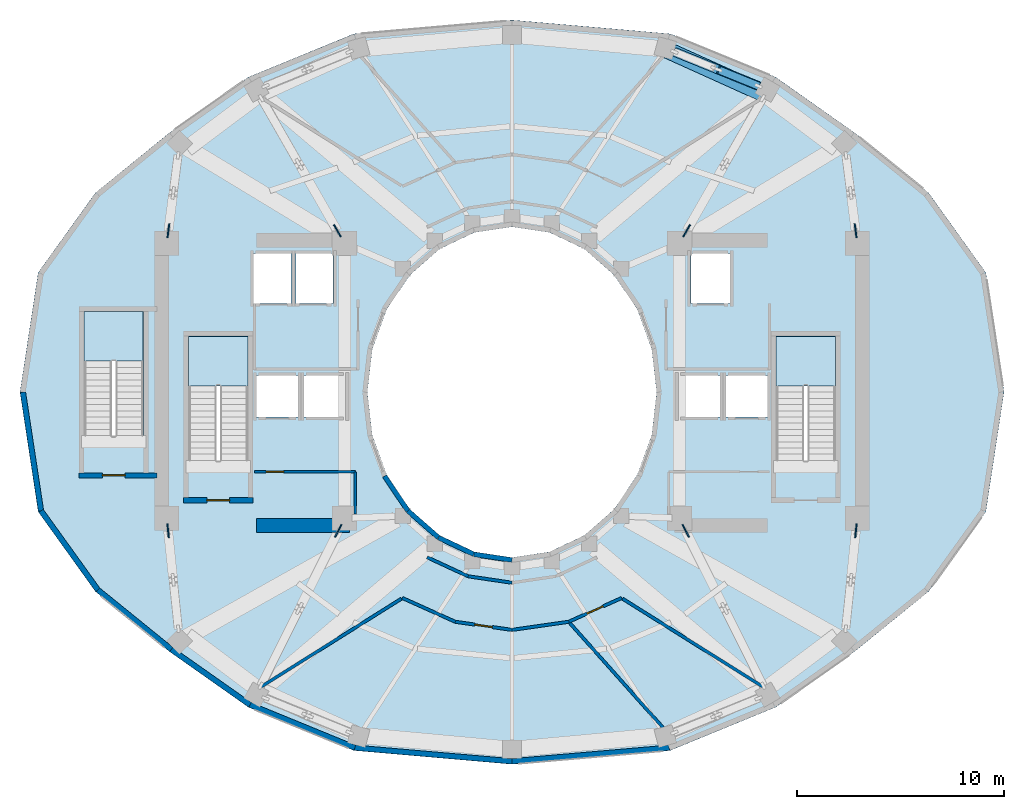
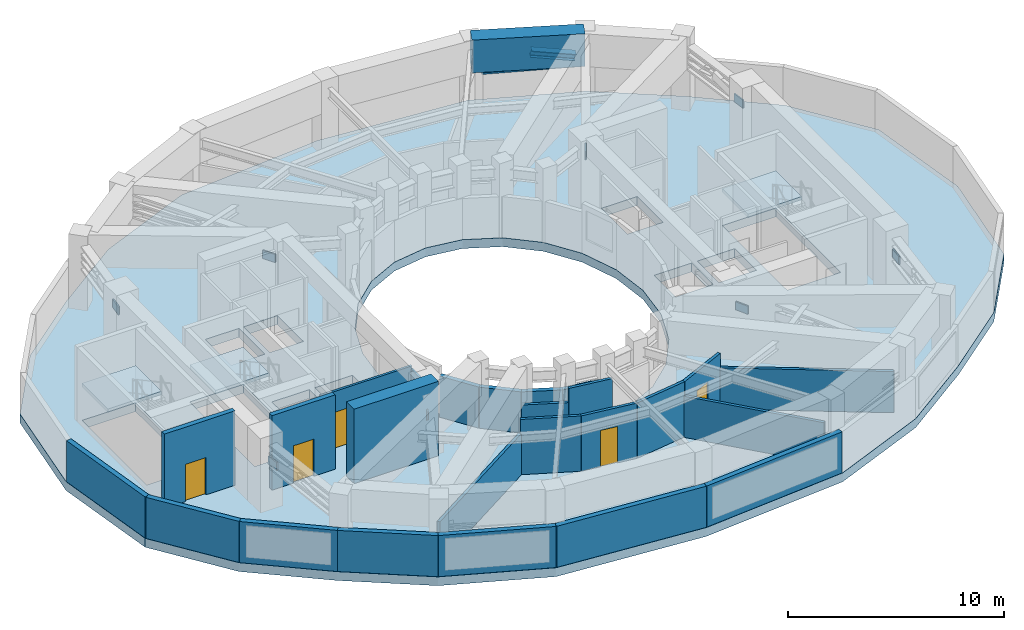
# One storey, part 3 of 10: 25 walls, 8 plates, 5 doors, 4 slabs, 2 beams, 1 member, 5 openings, 3 elements without a shape of their own.
"""IFC4 building model written with IfcOpenShell, lengths in metres."""

from ifc_helpers import new_model, si_unit, direction, frame, frame_2d, origin, origin_2d, place, context, subcontext, project, spatial, polyline, rectangle, i_section, outline, extrude, material, layer, layer_set, material_profile, profile_set, type_object, element, fill, aggregate, save


model = new_model("IFC4")

# Units and contexts
model_context = context("Model", 3, precision=1e-05, world=origin(), true_north=direction((0.0, 1.0)))
body_context = subcontext(model_context, "Body", "Model", "MODEL_VIEW")
ifc_project = project(units=[si_unit("LENGTHUNIT", "METRE"), si_unit("AREAUNIT", "SQUARE_METRE"), si_unit("VOLUMEUNIT", "CUBIC_METRE"), si_unit("PLANEANGLEUNIT", "RADIAN"), si_unit("MASSUNIT", "GRAM", prefix="KILO")], contexts=[model_context])

# Site, building, storey
site_placement = place(None, origin())
site = spatial("IfcSite", under=ifc_project, at=site_placement, CompositionType="ELEMENT")
building_placement = place(site_placement, origin())
building = spatial("IfcBuilding", under=site, at=building_placement, Name="Solvane Sanctuary Tower", CompositionType="ELEMENT")
storey_placement = place(building_placement, frame((0.0, 0.0, 129.0)))
storey = spatial("IfcBuildingStorey", under=building, at=storey_placement, Name="L39", CompositionType="ELEMENT", Elevation=129.0)

# Beams
ifc_material_1 = material(Name="Steel ASTM A913 Grade 65", Category="steel")
ifc_material_profile_1 = material_profile(ifc_material_1, i_section(OverallWidth=0.431884765625, OverallDepth=0.498046875, WebThickness=0.0556640625, FlangeThickness=0.0888671875, FilletRadius=0.02490234375, at=origin_2d()), Name="W14X500")
ifc_profile_set_1 = profile_set([ifc_material_profile_1], Name="Steel ASTM A913 Grade 65")
beam_type_1 = type_object("IfcBeamType", Name="Beam B-OUTR-CH W14X500", PredefinedType="BEAM", material=ifc_profile_set_1)
beam_1_placement = place(storey_placement, frame((39.8466796875, 39.466552734375, 2.300048828125), z_axis=(0.926455722664, -0.376403764518, 0.0), x_axis=(0.376403764518, 0.926455722664, 0.0)))
element("IfcBeam", 1, at=beam_1_placement, inside=storey, type_object=beam_type_1, Name="L39 Belt Truss Bottom Chord 03-02", PredefinedType="BEAM", context=body_context, shape_type="SweptSolid", body=[
    extrude(i_section(OverallWidth=0.431884765625, OverallDepth=0.498046875, WebThickness=0.0556640625, FlangeThickness=0.0888671875, FilletRadius=0.02490234375, at=origin_2d()), origin(), (0.0, 0.0, 1.0), 4.411865234375),
])
ifc_material_2 = material(Name="Concrete C70/85", Category="concrete")
ifc_material_profile_2 = material_profile(ifc_material_2, rectangle(XDim=0.800048828125, YDim=1.85009765625, at=origin_2d()), Name="RC800X1850")
ifc_profile_set_2 = profile_set([ifc_material_profile_2], Name="Concrete C70/85")
beam_type_2 = type_object("IfcBeamType", Name="Beam B-XFER-BLK RC800X1850", PredefinedType="BEAM", material=ifc_profile_set_2)
beam_2_placement = place(storey_placement, frame((39.398681640625, 39.59912109375, 3.27490234375), z_axis=(0.911321770398, -0.411694827268, 0.0), x_axis=(0.411694827268, 0.911321770398, 0.0)))
element("IfcBeam", 2, at=beam_2_placement, inside=storey, type_object=beam_type_2, Name="L39 Perimeter Step Transfer Ring NTC03-NTC02", PredefinedType="BEAM", context=body_context, shape_type="SweptSolid", body=[
    extrude(rectangle(XDim=0.800048828125, YDim=1.85009765625, at=origin_2d()), origin(), (0.0, 0.0, 1.0), 5.26416015625),
])

# Member
ifc_material_3 = material(Name="Steel ASTM A992 Grade 50", Category="steel")
ifc_material_profile_3 = material_profile(ifc_material_3, i_section(OverallWidth=0.3740234375, OverallDepth=0.3720703125, WebThickness=0.016357421875, FlangeThickness=0.026123046875, FilletRadius=0.02490234375, at=origin_2d()), Name="W14X132")
ifc_profile_set_3 = profile_set([ifc_material_profile_3], Name="Steel ASTM A992 Grade 50")
member_type = type_object("IfcMemberType", Name="Member M-BELT-POST W14X132", PredefinedType="POST", material=ifc_profile_set_3)
member_placement = place(storey_placement, frame((41.990478515625, 38.595458984375, 2.948486328125), z_axis=(0.910085206629, -0.36979047232, -0.187082664234), x_axis=(0.376436774403, 0.926442310604, 0.0)))
element("IfcMember", 3, at=member_placement, inside=storey, type_object=member_type, Name="L39 Belt Truss Web Strut 03-02", PredefinedType="POST", context=body_context, shape_type="SweptSolid", body=[
    extrude(i_section(OverallWidth=0.3740234375, OverallDepth=0.3720703125, WebThickness=0.016357421875, FlangeThickness=0.026123046875, FilletRadius=0.02490234375, at=origin_2d()), origin(), (0.0, 0.0, 1.0), 2.12060546875),
])

# Plates
ifc_material_4 = material(Name="Steel ASTM A572 Grade 50", Category="steel")
ifc_layer_1 = layer(ifc_material_4, 0.070068359375, Name="Steel ASTM A572 Grade 50")
ifc_layer_set_1 = layer_set([ifc_layer_1], Name="Steel ASTM A572 Grade 50")
plate_type = type_object("IfcPlateType", Name="Plate PL-GUSSET-B", PredefinedType="USERDEFINED", material=ifc_layer_set_1)
for number, where, z_axis, x_axis, name in (
    (4, (15.378173828125, 30.809814453125, 2.38525390625), (0.0, 0.0, 1.0), (0.127064608601, 0.99189444259, 0.0), "L39 Outrigger Core Gusset Plate OW1"),
    (5, (23.55078125, 30.80859375, 2.38525390625), (0.0, 0.0, 1.0), (-0.497731039913, 0.867331431408, 0.0), "L39 Outrigger Core Gusset Plate OW2"),
    (6, (15.36376953125, 16.2900390625, 2.38525390625), (0.0, 0.0, 1.0), (0.103834130589, -0.994594627637, 0.0), "L39 Outrigger Core Gusset Plate OW3"),
    (7, (23.595703125, 16.291015625, 2.38525390625), (0.0, 0.0, 1.0), (-0.447134741355, -0.894466613728, 0.0), "L39 Outrigger Core Gusset Plate OW4"),
    (8, (48.621826171875, 30.809814453125, 2.38525390625), (0.0, 0.0, 1.0), (-0.127064608601, 0.99189444259, 0.0), "L39 Outrigger Core Gusset Plate OE1"),
    (9, (40.44921875, 30.80859375, 2.38525390625), (0.0, 0.0, 1.0), (0.497731039913, 0.867331431408, 0.0), "L39 Outrigger Core Gusset Plate OE2"),
    (10, (48.63623046875, 16.2900390625, 2.38525390625), (0.0, 0.0, 1.0), (-0.103834130589, -0.994594627637, 0.0), "L39 Outrigger Core Gusset Plate OE3"),
    (11, (40.404296875, 16.291015625, 2.38525390625), (0.0, 0.0, 1.0), (0.447134741355, -0.894466613728, 0.0), "L39 Outrigger Core Gusset Plate OE4"),
):
    element("IfcPlate", number, at=place(storey_placement, frame(where, z_axis=z_axis, x_axis=x_axis)), inside=storey, type_object=plate_type, Name=name, ObjectType="GUSSET PLATE", PredefinedType="USERDEFINED", context=body_context, shape_type="SweptSolid", body=[
        extrude(rectangle(XDim=0.679931640625, YDim=0.070068359375, at=origin_2d()), origin(), (0.0, 0.0, 1.0), 0.449951171875),
    ])

# Stair, slab
ifc_material_5 = material(Name="Concrete C45/55", Category="concrete")
stair_type = type_object("IfcStairType", Name="Stair ST-TOW", PredefinedType="HALF_TURN_STAIR", material=ifc_material_5)
stair_1_placement = place(storey_placement, origin())
stair_1 = element("IfcStair", 12, at=stair_1_placement, inside=storey, type_object=stair_type, Name="L39 Exit Stair ST-1 West Core", PredefinedType="HALF_TURN_STAIR")
ifc_layer_2 = layer(ifc_material_5, 0.199951171875, Name="Concrete C45/55")
ifc_layer_set_2 = layer_set([ifc_layer_2], Name="Concrete C45/55")
slab_type_1 = type_object("IfcSlabType", Name="Slab SL-LAND-180", PredefinedType="LANDING", material=ifc_layer_set_2)
slab_1_placement = place(storey_placement, frame((0.0, 0.0, 1.89990234375)))
slab_1 = element("IfcSlab", 13, at=slab_1_placement, type_object=slab_type_1, Name="ST-1 landing 1", PredefinedType="LANDING", context=body_context, shape_type="SweptSolid", body=[
    extrude(outline(polyline([(19.219970703125, 23.300048828125), (19.219970703125, 25.699951171875), (16.360107421875, 25.699951171875), (16.360107421875, 23.300048828125), (19.219970703125, 23.300048828125)])), origin(), (0.0, 0.0, 1.0), 0.2001953125),
])
aggregate(stair_1, [slab_1])

stair_2_placement = place(storey_placement, origin())
stair_2 = element("IfcStair", 14, at=stair_2_placement, inside=storey, type_object=stair_type, Name="L39 Exit Stair ST-2 East Core", PredefinedType="HALF_TURN_STAIR")
slab_2_placement = place(storey_placement, frame((0.0, 0.0, 1.89990234375)))
slab_2 = element("IfcSlab", 15, at=slab_2_placement, type_object=slab_type_1, Name="ST-2 landing 1", PredefinedType="LANDING", context=body_context, shape_type="SweptSolid", body=[
    extrude(outline(polyline([(47.639892578125, 23.300048828125), (47.639892578125, 25.699951171875), (44.780029296875, 25.699951171875), (44.780029296875, 23.300048828125), (47.639892578125, 23.300048828125)])), origin(), (0.0, 0.0, 1.0), 0.2001953125),
])
aggregate(stair_2, [slab_2])

stair_3_placement = place(storey_placement, origin())
stair_3 = element("IfcStair", 16, at=stair_3_placement, inside=storey, type_object=stair_type, Name="L39 Exit Stair ST-3 Pilgrim Tower Stair", PredefinedType="HALF_TURN_STAIR")
slab_3_placement = place(storey_placement, frame((0.0, 0.0, 1.89990234375)))
slab_3 = element("IfcSlab", 17, at=slab_3_placement, type_object=slab_type_1, Name="ST-3 landing 1", PredefinedType="LANDING", context=body_context, shape_type="SweptSolid", body=[
    extrude(outline(polyline([(14.159912109375, 24.5), (14.159912109375, 26.89990234375), (11.300048828125, 26.89990234375), (11.300048828125, 24.5), (14.159912109375, 24.5)])), origin(), (0.0, 0.0, 1.0), 0.2001953125),
])
aggregate(stair_3, [slab_3])

# Slab
ifc_material_6 = material(Name="Concrete C60/75", Category="concrete")
ifc_layer_3 = layer(ifc_material_6, 0.5, Name="Concrete C60/75")
ifc_layer_set_3 = layer_set([ifc_layer_3], Name="Concrete C60/75")
slab_type_2 = type_object("IfcSlabType", Name="Slab SL-XFER-500", PredefinedType="FLOOR", material=ifc_layer_set_3)
slab_4_placement = place(storey_placement, frame((0.0, 0.0, -0.5)))
element("IfcSlab", 18, at=slab_4_placement, inside=storey, type_object=slab_type_2, Name="L39 Primary Structural Slab", PredefinedType="FLOOR", context=body_context, shape_type="SweptSolid", body=[
    extrude(outline(polyline([(55.800048828125, 23.0), (54.919921875, 28.784912109375), (52.151611328125, 32.642822265625), (48.581787109375, 35.540771484375), (44.75, 38.24072265625), (39.648681640625, 40.33447265625), (32.0, 41.0), (24.351318359375, 40.33447265625), (19.25, 38.24072265625), (15.418212890625, 35.540771484375), (11.848388671875, 32.642822265625), (9.080078125, 28.784912109375), (8.199951171875, 23.0), (9.080078125, 17.215087890625), (11.848388671875, 13.357177734375), (15.418212890625, 10.459228515625), (19.25, 7.75927734375), (24.351318359375, 5.66552734375), (32.0, 5.0), (39.648681640625, 5.66552734375), (44.75, 7.75927734375), (48.581787109375, 10.459228515625), (52.151611328125, 13.357177734375), (54.919921875, 17.215087890625), (55.800048828125, 23.0)]), holes=[polyline([(38.761474609375, 20.929443359375), (38.062255859375, 19.0), (36.94970703125, 17.343017578125), (35.5, 16.07177734375), (33.811767578125, 15.272705078125), (32.0, 15.0), (30.188232421875, 15.272705078125), (28.5, 16.07177734375), (27.05029296875, 17.343017578125), (25.937744140625, 19.0), (25.238525390625, 20.929443359375), (25.0, 23.0), (25.238525390625, 25.070556640625), (25.937744140625, 27.0), (27.05029296875, 28.656982421875), (28.5, 29.92822265625), (30.188232421875, 30.727294921875), (32.0, 31.0), (33.811767578125, 30.727294921875), (35.5, 29.92822265625), (36.94970703125, 28.656982421875), (38.062255859375, 27.0), (38.761474609375, 25.070556640625), (39.0, 23.0), (38.761474609375, 20.929443359375)]), polyline([(16.360107421875, 19.699951171875), (16.360107421875, 25.699951171875), (19.219970703125, 25.699951171875), (19.219970703125, 19.699951171875), (16.360107421875, 19.699951171875)]), polyline([(44.780029296875, 19.699951171875), (44.780029296875, 25.699951171875), (47.639892578125, 25.699951171875), (47.639892578125, 19.699951171875), (44.780029296875, 19.699951171875)]), polyline([(11.300048828125, 20.89990234375), (11.300048828125, 26.89990234375), (14.159912109375, 26.89990234375), (14.159912109375, 20.89990234375), (11.300048828125, 20.89990234375)]), polyline([(19.64990234375, 23.800048828125), (21.64990234375, 23.800048828125), (21.64990234375, 21.800048828125), (19.64990234375, 21.800048828125), (19.64990234375, 23.800048828125)]), polyline([(42.35009765625, 23.800048828125), (44.35009765625, 23.800048828125), (44.35009765625, 21.800048828125), (42.35009765625, 21.800048828125), (42.35009765625, 23.800048828125)]), polyline([(21.949951171875, 23.800048828125), (23.949951171875, 23.800048828125), (23.949951171875, 21.800048828125), (21.949951171875, 21.800048828125), (21.949951171875, 23.800048828125)]), polyline([(40.050048828125, 23.800048828125), (42.050048828125, 23.800048828125), (42.050048828125, 21.800048828125), (40.050048828125, 21.800048828125), (40.050048828125, 23.800048828125)]), polyline([(19.5, 29.699951171875), (21.300048828125, 29.699951171875), (21.300048828125, 27.300048828125), (19.5, 27.300048828125), (19.5, 29.699951171875)]), polyline([(21.550048828125, 29.699951171875), (23.35009765625, 29.699951171875), (23.35009765625, 27.300048828125), (21.550048828125, 27.300048828125), (21.550048828125, 29.699951171875)]), polyline([(40.64990234375, 29.699951171875), (42.550048828125, 29.699951171875), (42.550048828125, 27.300048828125), (40.64990234375, 27.300048828125), (40.64990234375, 29.699951171875)])]), origin(), (0.0, 0.0, 1.0), 0.5),
])

# Walls
ifc_layer_4 = layer(ifc_material_6, 0.699951171875, Name="Concrete C60/75")
ifc_layer_set_4 = layer_set([ifc_layer_4], Name="Concrete C60/75")
wall_type_1 = type_object("IfcWallType", Name="Wall W-CORE-700", PredefinedType="SHEAR", material=ifc_layer_set_4)
wall_1_placement = place(storey_placement, frame((19.64990234375, 16.550048828125, 0.0), z_axis=(0.0, 0.0, 1.0), x_axis=(1.0, 0.0, 0.0)))
element("IfcWall", 19, at=wall_1_placement, inside=storey, type_object=wall_type_1, Name="L39 Core Shear Wall WC-S", PredefinedType="SHEAR", context=body_context, shape_type="SweptSolid", body=[
    extrude(rectangle(XDim=4.5, YDim=0.699951171875, at=frame_2d((2.25, 0.0))), origin(), (0.0, 0.0, 1.0), 4.199951171875),
])
ifc_material_7 = material(Name="Acoustic Gypsum Partition Board")
ifc_layer_5 = layer(ifc_material_7, 0.14990234375, Name="Acoustic Gypsum Partition Board")
ifc_layer_set_5 = layer_set([ifc_layer_5], Name="Acoustic Gypsum Partition Board")
wall_type_2 = type_object("IfcWallType", Name="Wall W-CORR-150", PredefinedType="PARTITIONING", material=ifc_layer_set_5)
wall_2_placement = place(storey_placement, frame((27.889892578125, 15.01513671875, 0.0), z_axis=(0.0, 0.0, 1.0), x_axis=(0.906943449489, -0.421252393975, 0.0)))
element("IfcWall", 20, at=wall_2_placement, inside=storey, type_object=wall_type_2, Name="L39 Light-Well Corridor Rim Wall S1", PredefinedType="PARTITIONING", context=body_context, shape_type="SweptSolid", body=[
    extrude(rectangle(XDim=2.18603515625, YDim=0.14990234375, at=frame_2d((1.093017578125, 0.0))), origin(), (0.0, 0.0, 1.0), 2.320068359375),
])
wall_3_placement = place(storey_placement, frame((29.87255859375, 14.09423828125, 0.0), z_axis=(0.0, 0.0, 1.0), x_axis=(0.989268584896, -0.146108408166, 0.0)))
element("IfcWall", 21, at=wall_3_placement, inside=storey, type_object=wall_type_2, Name="L39 Light-Well Corridor Rim Wall S2", PredefinedType="PARTITIONING", context=body_context, shape_type="SweptSolid", body=[
    extrude(rectangle(XDim=2.150634765625, YDim=0.14990234375, at=frame_2d((1.0751953125, 0.0))), origin(), (0.0, 0.0, 1.0), 3.118896484375),
])
wall_4_placement = place(storey_placement, frame((26.6533203125, 13.011474609375, 0.0), z_axis=(0.0, 0.0, 1.0), x_axis=(-0.846958426242, -0.531659124081, 0.0)))
element("IfcWall", 22, at=wall_4_placement, inside=storey, type_object=wall_type_2, Name="L39 Mechanical Plant Radial Wall 240", PredefinedType="PARTITIONING", context=body_context, shape_type="SweptSolid", body=[
    extrude(rectangle(XDim=8.031982421875, YDim=0.14990234375, at=frame_2d((4.01611328125, 0.0))), origin(), (0.0, 0.0, 1.0), 2.320068359375),
])
wall_5_placement = place(storey_placement, frame((34.780029296875, 11.850830078125, 0.0), z_axis=(0.0, 0.0, 1.0), x_axis=(0.665492718471, -0.746404341937, 0.0)))
element("IfcWall", 23, at=wall_5_placement, inside=storey, type_object=wall_type_2, Name="L39 Mechanical Plant Radial Wall 285", PredefinedType="PARTITIONING", context=body_context, shape_type="SweptSolid", body=[
    extrude(rectangle(XDim=6.80126953125, YDim=0.14990234375, at=frame_2d((3.400634765625, 0.0))), origin(), (0.0, 0.0, 1.0), 2.320068359375),
])
wall_6_placement = place(storey_placement, frame((37.3466796875, 13.011474609375, 0.0), z_axis=(0.0, 0.0, 1.0), x_axis=(0.846958426242, -0.531659124081, 0.0)))
element("IfcWall", 24, at=wall_6_placement, inside=storey, type_object=wall_type_2, Name="L39 Mechanical Plant Radial Wall 300", PredefinedType="PARTITIONING", context=body_context, shape_type="SweptSolid", body=[
    extrude(rectangle(XDim=8.031982421875, YDim=0.14990234375, at=frame_2d((4.01611328125, 0.0))), origin(), (0.0, 0.0, 1.0), 2.320068359375),
])
wall_7_placement = place(storey_placement, frame((26.693603515625, 13.044677734375, 0.0), z_axis=(0.0, 0.0, 1.0), x_axis=(0.912027064907, -0.410130019478, 0.0)))
element("IfcWall", 25, at=wall_7_placement, inside=storey, type_object=wall_type_2, Name="L39 Plant Corridor Wall 4", PredefinedType="PARTITIONING", context=body_context, shape_type="SweptSolid", body=[
    extrude(rectangle(XDim=2.81201171875, YDim=0.14990234375, at=frame_2d((1.406005859375, 0.0))), origin(), (0.0, 0.0, 1.0), 3.118896484375),
])

# Wall, opening, door
wall_8_placement = place(storey_placement, frame((29.254638671875, 11.892333984375, 0.0), z_axis=(0.0, 0.0, 1.0), x_axis=(0.989956530249, -0.141372091363, 0.0)))
wall_8 = element("IfcWall", 26, at=wall_8_placement, inside=storey, type_object=wall_type_2, Name="L39 Plant Corridor Wall 4", PredefinedType="PARTITIONING", context=body_context, shape_type="SweptSolid", body=[
    extrude(rectangle(XDim=2.775146484375, YDim=0.14990234375, at=frame_2d((1.3876953125, 0.0))), origin(), (0.0, 0.0, 1.0), 3.118896484375),
])
opening_1_placement = place(wall_8_placement, frame((0.96240234375, 0.0, 0.0)))
opening_1 = element("IfcOpeningElement", 27, at=opening_1_placement, cuts=wall_8, Name="Opening D-L39-11", PredefinedType="OPENING", context=body_context, shape_type="SweptSolid", body=[
    extrude(rectangle(XDim=0.85009765625, YDim=2.050048828125, at=frame_2d((0.425048828125, 1.02490234375))), frame((0.0, 0.0849609375, 0.0), z_axis=(0.0, -1.0, 0.0), x_axis=(1.0, 0.0, 0.0)), (0.0, 0.0, 1.0), 0.169921875),
])
ifc_material_8 = material(Name="Architectural Stainless Steel 316", Category="steel")
door_type_1 = type_object("IfcDoorType", Name="Door D-RISER", OperationType="NOTDEFINED", PredefinedType="DOOR", material=ifc_material_8)
door_1_placement = place(opening_1_placement, origin())
door_1 = element("IfcDoor", 28, at=door_1_placement, inside=storey, type_object=door_type_1, Name="L39 Plant Room Door 4", OperationType="SINGLE_SWING_RIGHT", OverallHeight=2.050048828125, OverallWidth=0.85009765625, PredefinedType="DOOR", context=body_context, shape_type="SweptSolid", body=[
    extrude(rectangle(XDim=0.85009765625, YDim=2.050048828125, at=frame_2d((0.425048828125, 1.02490234375))), frame((0.0, 0.02490234375, 0.0), z_axis=(0.0, -1.0, 0.0), x_axis=(1.0, 0.0, 0.0)), (0.0, 0.0, 1.0), 0.050048828125),
])
fill(opening_1, door_1)

# Wall
wall_9_placement = place(storey_placement, frame((31.998046875, 11.5, 0.0), z_axis=(0.0, 0.0, 1.0), x_axis=(0.989919617721, 0.141630330263, 0.0)))
element("IfcWall", 29, at=wall_9_placement, inside=storey, type_object=wall_type_2, Name="L39 Plant Corridor Wall 4", PredefinedType="PARTITIONING", context=body_context, shape_type="SweptSolid", body=[
    extrude(rectangle(XDim=2.780517578125, YDim=0.14990234375, at=frame_2d((1.39013671875, 0.0))), origin(), (0.0, 0.0, 1.0), 3.118896484375),
])

# Wall, opening, door
wall_10_placement = place(storey_placement, frame((34.736328125, 11.889892578125, 0.0), z_axis=(0.0, 0.0, 1.0), x_axis=(0.912153204049, 0.409849402028, 0.0)))
wall_10 = element("IfcWall", 30, at=wall_10_placement, inside=storey, type_object=wall_type_2, Name="L39 Plant Corridor Wall 5", PredefinedType="PARTITIONING", context=body_context, shape_type="SweptSolid", body=[
    extrude(rectangle(XDim=2.817626953125, YDim=0.14990234375, at=frame_2d((1.40869140625, 0.0))), origin(), (0.0, 0.0, 1.0), 3.118896484375),
])
opening_2_placement = place(wall_10_placement, frame((0.98388671875, 0.0, 0.0)))
opening_2 = element("IfcOpeningElement", 31, at=opening_2_placement, cuts=wall_10, Name="Opening D-L39-12", PredefinedType="OPENING", context=body_context, shape_type="SweptSolid", body=[
    extrude(rectangle(XDim=0.85009765625, YDim=2.050048828125, at=frame_2d((0.425048828125, 1.02490234375))), frame((0.0, 0.0849609375, 0.0), z_axis=(0.0, -1.0, 0.0), x_axis=(1.0, 0.0, 0.0)), (0.0, 0.0, 1.0), 0.169921875),
])
door_2_placement = place(opening_2_placement, origin())
door_2 = element("IfcDoor", 32, at=door_2_placement, inside=storey, type_object=door_type_1, Name="L39 Plant Room Door 5", OperationType="SINGLE_SWING_LEFT", OverallHeight=2.050048828125, OverallWidth=0.85009765625, PredefinedType="DOOR", context=body_context, shape_type="SweptSolid", body=[
    extrude(rectangle(XDim=0.85009765625, YDim=2.050048828125, at=frame_2d((0.425048828125, 1.02490234375))), frame((0.0, 0.02490234375, 0.0), z_axis=(0.0, -1.0, 0.0), x_axis=(1.0, 0.0, 0.0)), (0.0, 0.0, 1.0), 0.050048828125),
])
fill(opening_2, door_2)

# Walls
ifc_material_9 = material(Name="Precast concrete C40/50", Category="concrete")
ifc_layer_6 = layer(ifc_material_9, 0.260009765625, Name="Precast concrete C40/50")
ifc_layer_set_6 = layer_set([ifc_layer_6], Name="Precast concrete C40/50")
wall_type_3 = type_object("IfcWallType", Name="Wall W-EXT-250", PredefinedType="STANDARD", material=ifc_layer_set_6)
wall_11_placement = place(storey_placement, frame((8.340087890625, 23.0, 0.0), z_axis=(0.0, 0.0, 1.0), x_axis=(0.150663564271, -0.988585095174, 0.0)))
element("IfcWall", 33, at=wall_11_placement, inside=storey, type_object=wall_type_3, Name="L39 Mechanical Plant Perimeter Wall 12", PredefinedType="STANDARD", context=body_context, shape_type="SweptSolid", body=[
    extrude(rectangle(XDim=5.805908203125, YDim=0.260009765625, at=frame_2d((2.90283203125, 0.0))), origin(), (0.0, 0.0, 1.0), 2.320068359375),
])
wall_12_placement = place(storey_placement, frame((9.21484375, 17.26025390625, 0.0), z_axis=(0.0, 0.0, 1.0), x_axis=(0.583704335039, -0.811966285788, 0.0)))
element("IfcWall", 34, at=wall_12_placement, inside=storey, type_object=wall_type_3, Name="L39 Mechanical Plant Perimeter Wall 13", PredefinedType="STANDARD", context=body_context, shape_type="SweptSolid", body=[
    extrude(rectangle(XDim=4.714599609375, YDim=0.260009765625, at=frame_2d((2.357421875, 0.0))), origin(), (0.0, 0.0, 1.0), 2.320068359375),
])
wall_13_placement = place(storey_placement, frame((11.966796875, 13.43212890625, 0.0), z_axis=(0.0, 0.0, 1.0), x_axis=(0.776963479771, -0.629545670387, 0.0)))
element("IfcWall", 35, at=wall_13_placement, inside=storey, type_object=wall_type_3, Name="L39 Mechanical Plant Perimeter Wall 14", PredefinedType="STANDARD", context=body_context, shape_type="SweptSolid", body=[
    extrude(rectangle(XDim=4.567626953125, YDim=0.260009765625, at=frame_2d((2.28369140625, 0.0))), origin(), (0.0, 0.0, 1.0), 2.320068359375),
])
wall_14_placement = place(storey_placement, frame((15.515625, 10.556640625, 0.0), z_axis=(0.0, 0.0, 1.0), x_axis=(0.817976353794, -0.575251844529, 0.0)))
element("IfcWall", 36, at=wall_14_placement, inside=storey, type_object=wall_type_3, Name="L39 Mechanical Plant Perimeter Wall 15", PredefinedType="STANDARD", context=body_context, shape_type="SweptSolid", body=[
    extrude(rectangle(XDim=4.656982421875, YDim=0.260009765625, at=frame_2d((2.32861328125, 0.0))), origin(), (0.0, 0.0, 1.0), 2.320068359375),
])
wall_15_placement = place(storey_placement, frame((19.324951171875, 7.877685546875, 0.0), z_axis=(0.0, 0.0, 1.0), x_axis=(0.925369447545, -0.379066465875, 0.0)))
element("IfcWall", 37, at=wall_15_placement, inside=storey, type_object=wall_type_3, Name="L39 Mechanical Plant Perimeter Wall 16", PredefinedType="STANDARD", context=body_context, shape_type="SweptSolid", body=[
    extrude(rectangle(XDim=5.480224609375, YDim=0.260009765625, at=frame_2d((2.740234375, 0.0))), origin(), (0.0, 0.0, 1.0), 2.320068359375),
])
for number, where, z_axis, x_axis, name in (
    (38, (24.396240234375, 5.80029296875, 0.0), (0.0, 0.0, 1.0), (0.996249584918, -0.086526091739, 0.0), "L39 Mechanical Plant Perimeter Wall 17"),
    (39, (32.0, 5.139892578125, 0.0), (0.0, 0.0, 1.0), (0.996249584918, 0.086526091739, 0.0), "L39 Mechanical Plant Perimeter Wall 18"),
):
    element("IfcWall", number, at=place(storey_placement, frame(where, z_axis=z_axis, x_axis=x_axis)), inside=storey, type_object=wall_type_3, Name=name, PredefinedType="STANDARD", context=body_context, shape_type="SweptSolid", body=[
        extrude(rectangle(XDim=7.63232421875, YDim=0.260009765625, at=frame_2d((3.816162109375, 0.0))), origin(), (0.0, 0.0, 1.0), 2.320068359375),
    ])
ifc_layer_7 = layer(ifc_material_9, 0.22998046875, Name="Precast concrete C40/50")
ifc_layer_set_7 = layer_set([ifc_layer_7], Name="Precast concrete C40/50")
wall_type_4 = type_object("IfcWallType", Name="Wall W-EXT-SP220", PredefinedType="STANDARD", material=ifc_layer_set_7)
wall_16_placement = place(storey_placement, frame((25.833984375, 18.93994140625, 0.0), z_axis=(0.0, 0.0, 1.0), x_axis=(0.558197800898, -0.829707909492, 0.0)))
element("IfcWall", 40, at=wall_16_placement, inside=storey, type_object=wall_type_4, Name="L39 Central Light-Well Wall 14", PredefinedType="STANDARD", context=body_context, shape_type="SweptSolid", body=[
    extrude(rectangle(XDim=2.02685546875, YDim=0.22998046875, at=frame_2d((1.013427734375, 0.0))), origin(), (0.0, 0.0, 1.0), 2.320068359375),
])
wall_17_placement = place(storey_placement, frame((26.96533203125, 17.25830078125, 0.0), z_axis=(0.0, 0.0, 1.0), x_axis=(0.752576694707, -0.658504607869, 0.0)))
element("IfcWall", 41, at=wall_17_placement, inside=storey, type_object=wall_type_4, Name="L39 Central Light-Well Wall 15", PredefinedType="STANDARD", context=body_context, shape_type="SweptSolid", body=[
    extrude(rectangle(XDim=1.95947265625, YDim=0.22998046875, at=frame_2d((0.979736328125, 0.0))), origin(), (0.0, 0.0, 1.0), 2.320068359375),
])
wall_18_placement = place(storey_placement, frame((28.43994140625, 15.968017578125, 0.0), z_axis=(0.0, 0.0, 1.0), x_axis=(0.904179699603, -0.427152280606, 0.0)))
element("IfcWall", 42, at=wall_18_placement, inside=storey, type_object=wall_type_4, Name="L39 Central Light-Well Wall 16", PredefinedType="STANDARD", context=body_context, shape_type="SweptSolid", body=[
    extrude(rectangle(XDim=1.899169921875, YDim=0.22998046875, at=frame_2d((0.94970703125, 0.0))), origin(), (0.0, 0.0, 1.0), 2.320068359375),
])
wall_19_placement = place(storey_placement, frame((30.1572265625, 15.15673828125, 0.0), z_axis=(0.0, 0.0, 1.0), x_axis=(0.988901730308, -0.148571086668, 0.0)))
element("IfcWall", 43, at=wall_19_placement, inside=storey, type_object=wall_type_4, Name="L39 Central Light-Well Wall 17", PredefinedType="STANDARD", context=body_context, shape_type="SweptSolid", body=[
    extrude(rectangle(XDim=1.863525390625, YDim=0.22998046875, at=frame_2d((0.931640625, 0.0))), origin(), (0.0, 0.0, 1.0), 2.320068359375),
])

# Wall, opening, door
ifc_layer_8 = layer(ifc_material_7, 0.125, Name="Acoustic Gypsum Partition Board")
ifc_layer_set_8 = layer_set([ifc_layer_8], Name="Acoustic Gypsum Partition Board")
wall_type_5 = type_object("IfcWallType", Name="Wall W-PART-125", PredefinedType="PARTITIONING", material=ifc_layer_set_8)
wall_20_placement = place(storey_placement, frame((19.550048828125, 19.159912109375, 0.0), z_axis=(0.0, 0.0, 1.0), x_axis=(1.0, 0.0, 0.0)))
wall_20 = element("IfcWall", 44, at=wall_20_placement, inside=storey, type_object=wall_type_5, Name="L39 Reclaimed Room Partition PLW", PredefinedType="PARTITIONING", context=body_context, shape_type="SweptSolid", body=[
    extrude(rectangle(XDim=4.869873046875, YDim=0.125, at=frame_2d((2.43505859375, 0.0))), origin(), (0.0, 0.0, 1.0), 3.219970703125),
])
opening_3_placement = place(wall_20_placement, frame((0.550048828125, 0.0, 0.0)))
opening_3 = element("IfcOpeningElement", 45, at=opening_3_placement, cuts=wall_20, Name="Opening D-L39-06", PredefinedType="OPENING", context=body_context, shape_type="SweptSolid", body=[
    extrude(rectangle(XDim=0.85009765625, YDim=2.050048828125, at=frame_2d((0.425048828125, 1.02490234375))), frame((0.0, 0.072509765625, 0.0), z_axis=(0.0, -1.0, 0.0), x_axis=(1.0, 0.0, 0.0)), (0.0, 0.0, 1.0), 0.14501953125),
])
door_3_placement = place(opening_3_placement, origin())
door_3 = element("IfcDoor", 46, at=door_3_placement, inside=storey, type_object=door_type_1, Name="L39 Reclaimed Room Door PLW-1", OperationType="SINGLE_SWING_LEFT", OverallHeight=2.050048828125, OverallWidth=0.85009765625, PredefinedType="DOOR", context=body_context, shape_type="SweptSolid", body=[
    extrude(rectangle(XDim=0.85009765625, YDim=2.050048828125, at=frame_2d((0.425048828125, 1.02490234375))), frame((0.0, 0.02490234375, 0.0), z_axis=(0.0, -1.0, 0.0), x_axis=(1.0, 0.0, 0.0)), (0.0, 0.0, 1.0), 0.050048828125),
])
fill(opening_3, door_3)

# Wall
wall_21_placement = place(storey_placement, frame((24.419921875, 17.10009765625, 0.0), z_axis=(0.0, 0.0, 1.0), x_axis=(0.0, 1.0, 0.0)))
element("IfcWall", 47, at=wall_21_placement, inside=storey, type_object=wall_type_5, Name="L39 Reclaimed Room Closer Wall PLW-1", PredefinedType="PARTITIONING", context=body_context, shape_type="SweptSolid", body=[
    extrude(rectangle(XDim=2.039794921875, YDim=0.125, at=frame_2d((1.02001953125, 0.0))), origin(), (0.0, 0.0, 1.0), 3.052001953125),
])

# Wall, opening, door
ifc_material_10 = material(Name="Concrete C50/60", Category="concrete")
ifc_layer_9 = layer(ifc_material_10, 0.25, Name="Concrete C50/60")
ifc_layer_set_9 = layer_set([ifc_layer_9], Name="Concrete C50/60")
wall_type_6 = type_object("IfcWallType", Name="Wall W-SHAFT-250", PredefinedType="SOLIDWALL", material=ifc_layer_set_9)
wall_22_placement = place(storey_placement, frame((16.10498046875, 17.77001953125, 0.0), z_axis=(0.0, 0.0, 1.0), x_axis=(1.0, 0.0, 0.0)))
wall_22 = element("IfcWall", 48, at=wall_22_placement, inside=storey, type_object=wall_type_6, Name="L39 ST-1 Load-Bearing Shaft Wall S", PredefinedType="SOLIDWALL", context=body_context, shape_type="SweptSolid", body=[
    extrude(rectangle(XDim=3.3701171875, YDim=0.25, at=frame_2d((1.68505859375, 0.0))), origin(), (0.0, 0.0, 1.0), 4.199951171875),
])
opening_4_placement = place(wall_22_placement, frame((1.135009765625, 0.0, 0.0)))
opening_4 = element("IfcOpeningElement", 49, at=opening_4_placement, cuts=wall_22, Name="Opening D-L39-01", PredefinedType="OPENING", context=body_context, shape_type="SweptSolid", body=[
    extrude(rectangle(XDim=1.10009765625, YDim=2.10009765625, at=frame_2d((0.550048828125, 1.050048828125))), frame((0.0, 0.135009765625, 0.0), z_axis=(0.0, -1.0, 0.0), x_axis=(1.0, 0.0, 0.0)), (0.0, 0.0, 1.0), 0.27001953125),
])
door_type_2 = type_object("IfcDoorType", Name="Door D-STAIR", OperationType="NOTDEFINED", PredefinedType="DOOR", material=ifc_material_8)
door_4_placement = place(opening_4_placement, origin())
door_4 = element("IfcDoor", 50, at=door_4_placement, inside=storey, type_object=door_type_2, Name="L39 ST-1 Exit Stair Fire Door", OperationType="SINGLE_SWING_LEFT", OverallHeight=2.10009765625, OverallWidth=1.10009765625, PredefinedType="DOOR", context=body_context, shape_type="SweptSolid", body=[
    extrude(rectangle(XDim=1.10009765625, YDim=2.10009765625, at=frame_2d((0.550048828125, 1.050048828125))), frame((0.0, 0.02490234375, 0.0), z_axis=(0.0, -1.0, 0.0), x_axis=(1.0, 0.0, 0.0)), (0.0, 0.0, 1.0), 0.050048828125),
])
fill(opening_4, door_4)

wall_23_placement = place(storey_placement, frame((11.044921875, 18.969970703125, 0.0), z_axis=(0.0, 0.0, 1.0), x_axis=(1.0, 0.0, 0.0)))
wall_23 = element("IfcWall", 51, at=wall_23_placement, inside=storey, type_object=wall_type_6, Name="L39 ST-3 Load-Bearing Shaft Wall S", PredefinedType="SOLIDWALL", context=body_context, shape_type="SweptSolid", body=[
    extrude(rectangle(XDim=3.781982421875, YDim=0.25, at=frame_2d((1.89111328125, 0.0))), origin(), (0.0, 0.0, 1.0), 4.199951171875),
])
opening_5_placement = place(wall_23_placement, frame((1.135009765625, 0.0, 0.0)))
opening_5 = element("IfcOpeningElement", 52, at=opening_5_placement, cuts=wall_23, Name="Opening D-L39-03", PredefinedType="OPENING", context=body_context, shape_type="SweptSolid", body=[
    extrude(rectangle(XDim=1.10009765625, YDim=2.10009765625, at=frame_2d((0.550048828125, 1.050048828125))), frame((0.0, 0.135009765625, 0.0), z_axis=(0.0, -1.0, 0.0), x_axis=(1.0, 0.0, 0.0)), (0.0, 0.0, 1.0), 0.27001953125),
])
door_5_placement = place(opening_5_placement, origin())
door_5 = element("IfcDoor", 53, at=door_5_placement, inside=storey, type_object=door_type_2, Name="L39 ST-3 Exit Stair Fire Door", OperationType="SINGLE_SWING_LEFT", OverallHeight=2.10009765625, OverallWidth=1.10009765625, PredefinedType="DOOR", context=body_context, shape_type="SweptSolid", body=[
    extrude(rectangle(XDim=1.10009765625, YDim=2.10009765625, at=frame_2d((0.550048828125, 1.050048828125))), frame((0.0, 0.02490234375, 0.0), z_axis=(0.0, -1.0, 0.0), x_axis=(1.0, 0.0, 0.0)), (0.0, 0.0, 1.0), 0.050048828125),
])
fill(opening_5, door_5)

save(model, "model.ifc")
